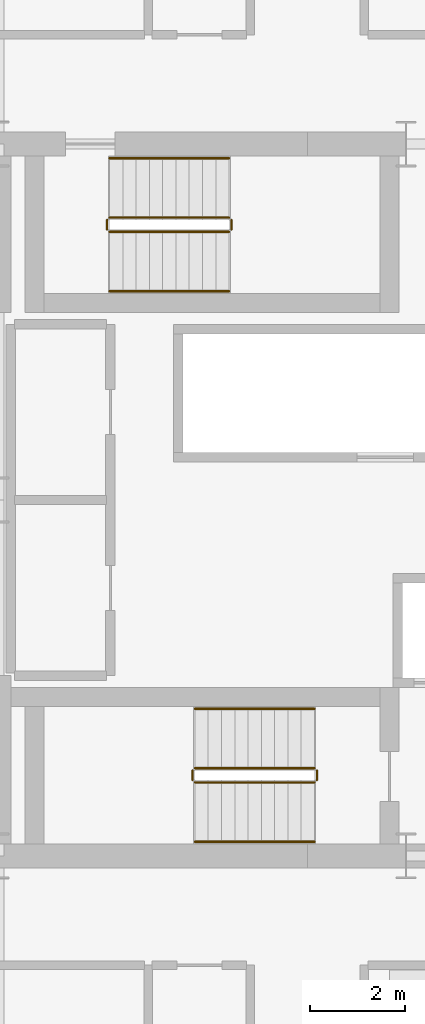
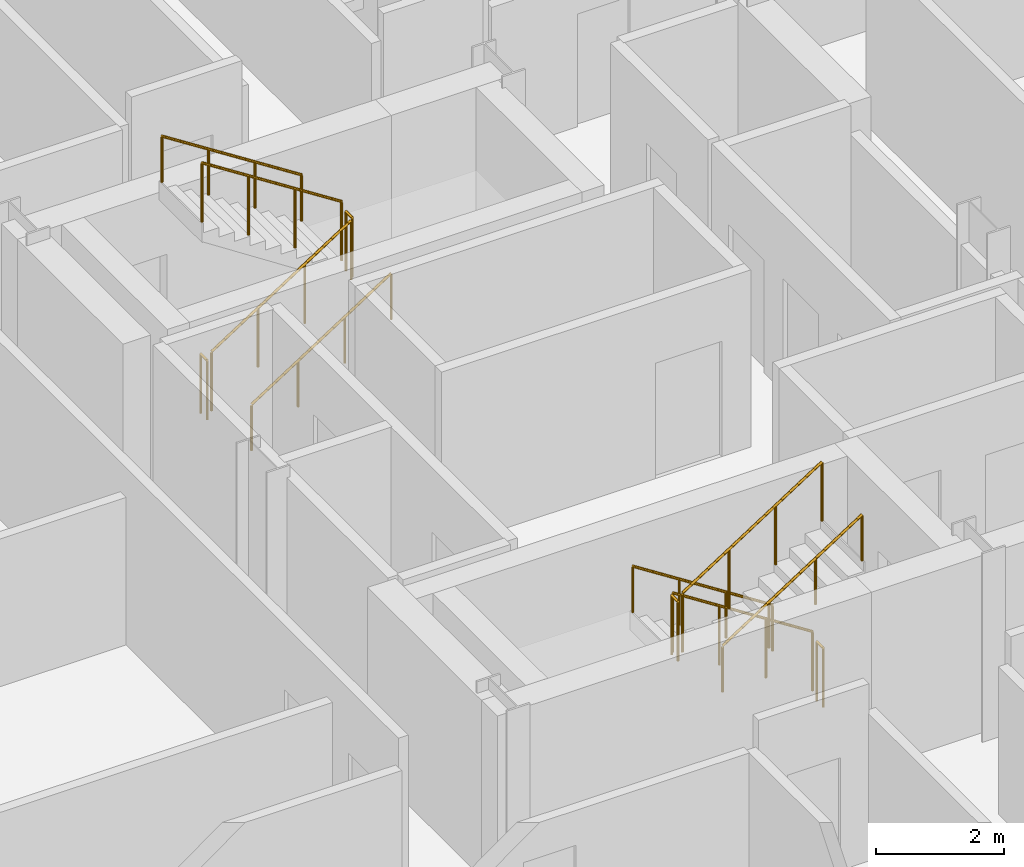
# One storey, part 23 of 24: 12 railings.
"""IFC4 building model written with IfcOpenShell, lengths in metres."""

from ifc_helpers import new_model, si_unit, direction, frame, origin, origin_2d, place, context, subcontext, project, spatial, circle, extrude, material, type_object, element, save


model = new_model("IFC4")

# Units and contexts
model_context = context("Model", 3, precision=1e-05, world=origin(), true_north=direction((0.0, 1.0)))
body_context = subcontext(model_context, "Body", "Model", "MODEL_VIEW")
ifc_project = project(units=[si_unit("LENGTHUNIT", "METRE"), si_unit("AREAUNIT", "SQUARE_METRE"), si_unit("VOLUMEUNIT", "CUBIC_METRE"), si_unit("PLANEANGLEUNIT", "RADIAN"), si_unit("MASSUNIT", "GRAM", prefix="KILO")], contexts=[model_context])

# Site, building, storey
site_placement = place(None, origin())
site = spatial("IfcSite", under=ifc_project, at=site_placement, CompositionType="ELEMENT")
building_placement = place(site_placement, origin())
building = spatial("IfcBuilding", under=site, at=building_placement, Name="Barlavira Tower and Art Museum", CompositionType="ELEMENT")
storey_placement = place(building_placement, frame((0.0, 0.0, 154.800048828125)))
storey = spatial("IfcBuildingStorey", under=building, at=storey_placement, Name="L39", CompositionType="ELEMENT", Elevation=154.800048828125)

# Railings
ifc_material = material(Name="Brushed stainless steel", Category="steel")
railing_type_1 = type_object("IfcRailingType", Name="Interior Void and Landing Guard Railing 1150", PredefinedType="GUARDRAIL", material=ifc_material)
railing_1_placement = place(storey_placement, frame((0.14990234375, -5.64990234375, 0.179931640625)))
element("IfcRailing", 1, at=railing_1_placement, inside=storey, type_object=railing_type_1, Name="L39 ST-T1 stair guard 1", PredefinedType="GUARDRAIL", context=body_context, shape_type="SweptSolid", body=[
    extrude(circle(Radius=0.02392578125, at=origin_2d()), frame((0.0, 0.0, 1.1259765625), z_axis=(-0.841162588446, 0.0, 0.540782303519), x_axis=(0.0, -1.0, 0.0)), (0.0, 0.0, 1.0), 2.995849609375),
    extrude(circle(Radius=0.02099609375, at=origin_2d()), origin(), (0.0, 0.0, 1.0), 1.101806640625),
    extrude(circle(Radius=0.02099609375, at=origin_2d()), frame((-0.840087890625, 0.0, 0.5400390625)), (0.0, 0.0, 1.0), 1.101806640625),
    extrude(circle(Radius=0.02099609375, at=origin_2d()), frame((-1.679931640625, 0.0, 1.080078125)), (0.0, 0.0, 1.0), 1.101806640625),
    extrude(circle(Radius=0.02099609375, at=origin_2d()), frame((-2.52001953125, 0.0, 1.6201171875)), (0.0, 0.0, 1.0), 1.101806640625),
])
railing_2_placement = place(storey_placement, frame((-2.419921875, -5.699951171875, 1.800048828125)))
element("IfcRailing", 2, at=railing_2_placement, inside=storey, type_object=railing_type_1, Name="L39 ST-T1 stair guard 2", PredefinedType="GUARDRAIL", context=body_context, shape_type="SweptSolid", body=[
    extrude(circle(Radius=0.02392578125, at=origin_2d()), frame((0.0, 0.0, 1.1259765625), z_axis=(0.0, -1.0, 0.0), x_axis=(1.0, 0.0, 0.0)), (0.0, 0.0, 1.0), 0.199951171875),
    extrude(circle(Radius=0.02099609375, at=origin_2d()), origin(), (0.0, 0.0, 1.0), 1.101806640625),
    extrude(circle(Radius=0.02099609375, at=origin_2d()), frame((0.0, -0.199951171875, 0.0)), (0.0, 0.0, 1.0), 1.101806640625),
])
railing_3_placement = place(storey_placement, frame((-2.3701171875, -5.949951171875, 1.97998046875)))
element("IfcRailing", 3, at=railing_3_placement, inside=storey, type_object=railing_type_1, Name="L39 ST-T1 stair guard 3", PredefinedType="GUARDRAIL", context=body_context, shape_type="SweptSolid", body=[
    extrude(circle(Radius=0.02392578125, at=origin_2d()), frame((0.0, 0.0, 1.1259765625), z_axis=(0.841199657755, 0.0, 0.540724639528), x_axis=(0.0, 1.0, 0.0)), (0.0, 0.0, 1.0), 2.995849609375),
    extrude(circle(Radius=0.02099609375, at=origin_2d()), origin(), (0.0, 0.0, 1.0), 1.101806640625),
    extrude(circle(Radius=0.02099609375, at=origin_2d()), frame((0.840087890625, 0.0, 0.5400390625)), (0.0, 0.0, 1.0), 1.101806640625),
    extrude(circle(Radius=0.02099609375, at=origin_2d()), frame((1.679931640625, 0.0, 1.079833984375)), (0.0, 0.0, 1.0), 1.101806640625),
    extrude(circle(Radius=0.02099609375, at=origin_2d()), frame((2.52001953125, 0.0, 1.619873046875)), (0.0, 0.0, 1.0), 1.101806640625),
])
railing_4_placement = place(storey_placement, frame((0.199951171875, -5.699951171875, 0.0)))
element("IfcRailing", 4, at=railing_4_placement, inside=storey, type_object=railing_type_1, Name="L39 ST-T1 stair guard 4", PredefinedType="GUARDRAIL", context=body_context, shape_type="SweptSolid", body=[
    extrude(circle(Radius=0.02392578125, at=origin_2d()), frame((0.0, 0.0, 1.1259765625), z_axis=(0.0, -1.0, 0.0), x_axis=(1.0, 0.0, 0.0)), (0.0, 0.0, 1.0), 0.199951171875),
    extrude(circle(Radius=0.02099609375, at=origin_2d()), origin(), (0.0, 0.0, 1.0), 1.101806640625),
    extrude(circle(Radius=0.02099609375, at=origin_2d()), frame((0.0, -0.199951171875, 0.0)), (0.0, 0.0, 1.0), 1.101806640625),
])
railing_5_placement = place(storey_placement, frame((-4.169921875, 5.64990234375, 0.179931640625)))
element("IfcRailing", 5, at=railing_5_placement, inside=storey, type_object=railing_type_1, Name="L39 ST-T2 stair guard 1", PredefinedType="GUARDRAIL", context=body_context, shape_type="SweptSolid", body=[
    extrude(circle(Radius=0.02392578125, at=origin_2d()), frame((0.0, 0.0, 1.1259765625), z_axis=(0.841162588446, 0.0, 0.540782303519), x_axis=(0.0, 1.0, 0.0)), (0.0, 0.0, 1.0), 2.995849609375),
    extrude(circle(Radius=0.02099609375, at=origin_2d()), origin(), (0.0, 0.0, 1.0), 1.101806640625),
    extrude(circle(Radius=0.02099609375, at=origin_2d()), frame((0.840087890625, 0.0, 0.5400390625)), (0.0, 0.0, 1.0), 1.101806640625),
    extrude(circle(Radius=0.02099609375, at=origin_2d()), frame((1.679931640625, 0.0, 1.080078125)), (0.0, 0.0, 1.0), 1.101806640625),
    extrude(circle(Radius=0.02099609375, at=origin_2d()), frame((2.52001953125, 0.0, 1.6201171875)), (0.0, 0.0, 1.0), 1.101806640625),
])
railing_6_placement = place(storey_placement, frame((-1.60009765625, 5.699951171875, 1.800048828125)))
element("IfcRailing", 6, at=railing_6_placement, inside=storey, type_object=railing_type_1, Name="L39 ST-T2 stair guard 2", PredefinedType="GUARDRAIL", context=body_context, shape_type="SweptSolid", body=[
    extrude(circle(Radius=0.02392578125, at=origin_2d()), frame((0.0, 0.0, 1.1259765625), z_axis=(0.0, 1.0, 0.0), x_axis=(-1.0, 0.0, 0.0)), (0.0, 0.0, 1.0), 0.199951171875),
    extrude(circle(Radius=0.02099609375, at=origin_2d()), origin(), (0.0, 0.0, 1.0), 1.101806640625),
    extrude(circle(Radius=0.02099609375, at=origin_2d()), frame((0.0, 0.199951171875, 0.0)), (0.0, 0.0, 1.0), 1.101806640625),
])
railing_7_placement = place(storey_placement, frame((-1.64990234375, 5.949951171875, 1.97998046875)))
element("IfcRailing", 7, at=railing_7_placement, inside=storey, type_object=railing_type_1, Name="L39 ST-T2 stair guard 3", PredefinedType="GUARDRAIL", context=body_context, shape_type="SweptSolid", body=[
    extrude(circle(Radius=0.02392578125, at=origin_2d()), frame((0.0, 0.0, 1.1259765625), z_axis=(-0.841199657755, 0.0, 0.540724639528), x_axis=(0.0, -1.0, 0.0)), (0.0, 0.0, 1.0), 2.995849609375),
    extrude(circle(Radius=0.02099609375, at=origin_2d()), origin(), (0.0, 0.0, 1.0), 1.101806640625),
    extrude(circle(Radius=0.02099609375, at=origin_2d()), frame((-0.840087890625, 0.0, 0.5400390625)), (0.0, 0.0, 1.0), 1.101806640625),
    extrude(circle(Radius=0.02099609375, at=origin_2d()), frame((-1.679931640625, 0.0, 1.079833984375)), (0.0, 0.0, 1.0), 1.101806640625),
    extrude(circle(Radius=0.02099609375, at=origin_2d()), frame((-2.52001953125, 0.0, 1.619873046875)), (0.0, 0.0, 1.0), 1.101806640625),
])
railing_8_placement = place(storey_placement, frame((-4.219970703125, 5.699951171875, 0.0)))
element("IfcRailing", 8, at=railing_8_placement, inside=storey, type_object=railing_type_1, Name="L39 ST-T2 stair guard 4", PredefinedType="GUARDRAIL", context=body_context, shape_type="SweptSolid", body=[
    extrude(circle(Radius=0.02392578125, at=origin_2d()), frame((0.0, 0.0, 1.1259765625), z_axis=(0.0, 1.0, 0.0), x_axis=(-1.0, 0.0, 0.0)), (0.0, 0.0, 1.0), 0.199951171875),
    extrude(circle(Radius=0.02099609375, at=origin_2d()), origin(), (0.0, 0.0, 1.0), 1.101806640625),
    extrude(circle(Radius=0.02099609375, at=origin_2d()), frame((0.0, 0.199951171875, 0.0)), (0.0, 0.0, 1.0), 1.101806640625),
])
railing_type_2 = type_object("IfcRailingType", Name="Stair Pitch Tubular Steel Handrail 920", PredefinedType="HANDRAIL", material=ifc_material)
railing_9_placement = place(storey_placement, frame((0.14990234375, -4.39990234375, 0.179931640625)))
element("IfcRailing", 9, at=railing_9_placement, inside=storey, type_object=railing_type_2, Name="L39 ST-T1 stair handrail 1", PredefinedType="HANDRAIL", context=body_context, shape_type="SweptSolid", body=[
    extrude(circle(Radius=0.02392578125, at=origin_2d()), frame((0.0, 0.0, 0.8759765625), z_axis=(-0.841162588446, 0.0, 0.540782303519), x_axis=(0.0, -1.0, 0.0)), (0.0, 0.0, 1.0), 2.995849609375),
    extrude(circle(Radius=0.02099609375, at=origin_2d()), origin(), (0.0, 0.0, 1.0), 0.851806640625),
    extrude(circle(Radius=0.02099609375, at=origin_2d()), frame((-0.840087890625, 0.0, 0.5400390625)), (0.0, 0.0, 1.0), 0.851806640625),
    extrude(circle(Radius=0.02099609375, at=origin_2d()), frame((-1.679931640625, 0.0, 1.080078125)), (0.0, 0.0, 1.0), 0.851806640625),
    extrude(circle(Radius=0.02099609375, at=origin_2d()), frame((-2.52001953125, 0.0, 1.6201171875)), (0.0, 0.0, 1.0), 0.851806640625),
])
railing_10_placement = place(storey_placement, frame((-2.3701171875, -7.199951171875, 1.97998046875)))
element("IfcRailing", 10, at=railing_10_placement, inside=storey, type_object=railing_type_2, Name="L39 ST-T1 stair handrail 2", PredefinedType="HANDRAIL", context=body_context, shape_type="SweptSolid", body=[
    extrude(circle(Radius=0.02392578125, at=origin_2d()), frame((0.0, 0.0, 0.8759765625), z_axis=(0.841199657755, 0.0, 0.540724639528), x_axis=(0.0, 1.0, 0.0)), (0.0, 0.0, 1.0), 2.995849609375),
    extrude(circle(Radius=0.02099609375, at=origin_2d()), origin(), (0.0, 0.0, 1.0), 0.851806640625),
    extrude(circle(Radius=0.02099609375, at=origin_2d()), frame((0.840087890625, 0.0, 0.5400390625)), (0.0, 0.0, 1.0), 0.851806640625),
    extrude(circle(Radius=0.02099609375, at=origin_2d()), frame((1.679931640625, 0.0, 1.079833984375)), (0.0, 0.0, 1.0), 0.851806640625),
    extrude(circle(Radius=0.02099609375, at=origin_2d()), frame((2.52001953125, 0.0, 1.619873046875)), (0.0, 0.0, 1.0), 0.851806640625),
])
railing_11_placement = place(storey_placement, frame((-4.169921875, 4.39990234375, 0.179931640625)))
element("IfcRailing", 11, at=railing_11_placement, inside=storey, type_object=railing_type_2, Name="L39 ST-T2 stair handrail 1", PredefinedType="HANDRAIL", context=body_context, shape_type="SweptSolid", body=[
    extrude(circle(Radius=0.02392578125, at=origin_2d()), frame((0.0, 0.0, 0.8759765625), z_axis=(0.841162588446, 0.0, 0.540782303519), x_axis=(0.0, 1.0, 0.0)), (0.0, 0.0, 1.0), 2.995849609375),
    extrude(circle(Radius=0.02099609375, at=origin_2d()), origin(), (0.0, 0.0, 1.0), 0.851806640625),
    extrude(circle(Radius=0.02099609375, at=origin_2d()), frame((0.840087890625, 0.0, 0.5400390625)), (0.0, 0.0, 1.0), 0.851806640625),
    extrude(circle(Radius=0.02099609375, at=origin_2d()), frame((1.679931640625, 0.0, 1.080078125)), (0.0, 0.0, 1.0), 0.851806640625),
    extrude(circle(Radius=0.02099609375, at=origin_2d()), frame((2.52001953125, 0.0, 1.6201171875)), (0.0, 0.0, 1.0), 0.851806640625),
])
railing_12_placement = place(storey_placement, frame((-1.64990234375, 7.199951171875, 1.97998046875)))
element("IfcRailing", 12, at=railing_12_placement, inside=storey, type_object=railing_type_2, Name="L39 ST-T2 stair handrail 2", PredefinedType="HANDRAIL", context=body_context, shape_type="SweptSolid", body=[
    extrude(circle(Radius=0.02392578125, at=origin_2d()), frame((0.0, 0.0, 0.8759765625), z_axis=(-0.841199657755, 0.0, 0.540724639528), x_axis=(0.0, -1.0, 0.0)), (0.0, 0.0, 1.0), 2.995849609375),
    extrude(circle(Radius=0.02099609375, at=origin_2d()), origin(), (0.0, 0.0, 1.0), 0.851806640625),
    extrude(circle(Radius=0.02099609375, at=origin_2d()), frame((-0.840087890625, 0.0, 0.5400390625)), (0.0, 0.0, 1.0), 0.851806640625),
    extrude(circle(Radius=0.02099609375, at=origin_2d()), frame((-1.679931640625, 0.0, 1.079833984375)), (0.0, 0.0, 1.0), 0.851806640625),
    extrude(circle(Radius=0.02099609375, at=origin_2d()), frame((-2.52001953125, 0.0, 1.619873046875)), (0.0, 0.0, 1.0), 0.851806640625),
])

save(model, "model.ifc")
